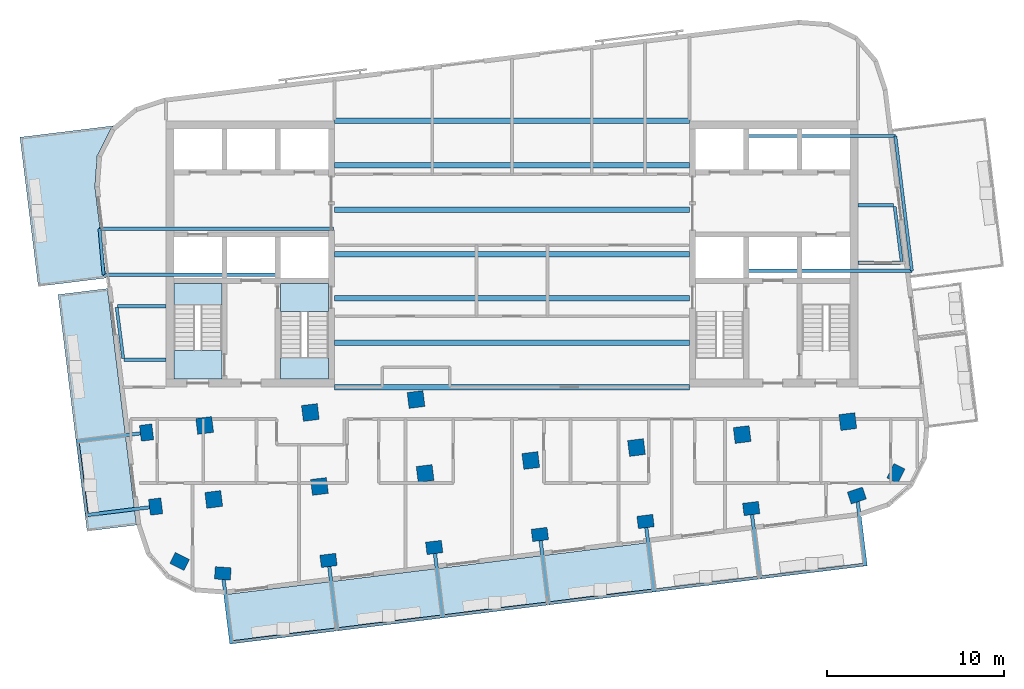
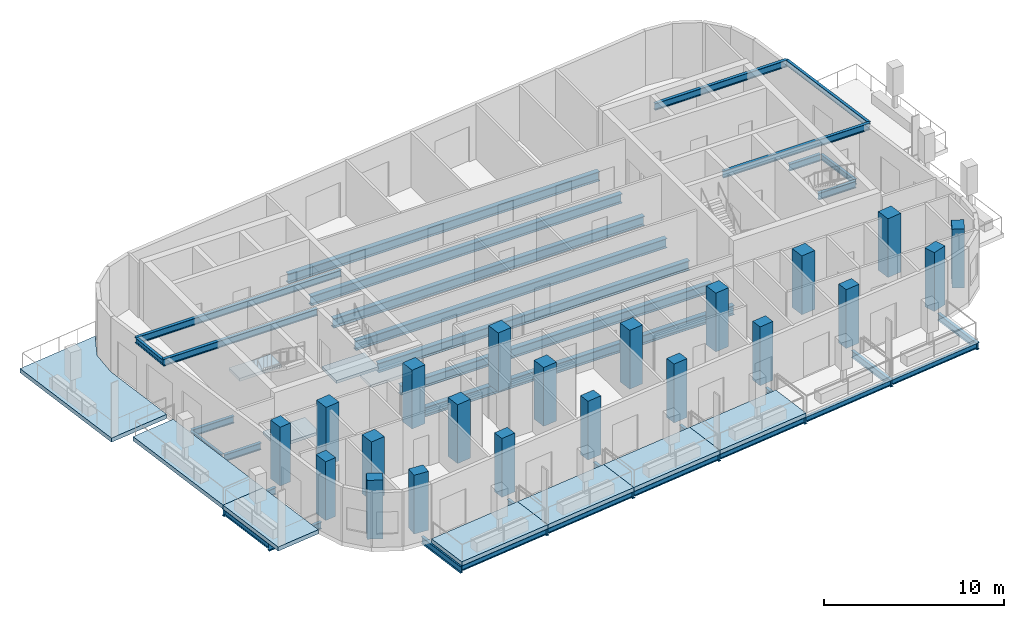
# One storey, part 1 of 11: 35 beams, 21 columns, 11 slabs, 2 elements without a shape of their own.
"""IFC4 building model written with IfcOpenShell, lengths in metres."""

from ifc_helpers import new_model, si_unit, direction, frame, origin, origin_2d, place, context, subcontext, project, spatial, polyline, rectangle, i_section, outline, extrude, material, layer, layer_set, material_profile, profile_set, type_object, element, aggregate, save


model = new_model("IFC4")

# Units and contexts
model_context = context("Model", 3, precision=1e-05, world=origin(), true_north=direction((0.0, 1.0)))
body_context = subcontext(model_context, "Body", "Model", "MODEL_VIEW")
ifc_project = project(units=[si_unit("LENGTHUNIT", "METRE"), si_unit("AREAUNIT", "SQUARE_METRE"), si_unit("VOLUMEUNIT", "CUBIC_METRE"), si_unit("PLANEANGLEUNIT", "RADIAN"), si_unit("MASSUNIT", "GRAM", prefix="KILO")], contexts=[model_context])

# Site, building, storey
site_placement = place(None, origin())
site = spatial("IfcSite", under=ifc_project, at=site_placement, CompositionType="ELEMENT")
building_placement = place(site_placement, origin())
building = spatial("IfcBuilding", under=site, at=building_placement, Name="Torana Hotel and Residences", CompositionType="ELEMENT")
storey_placement = place(building_placement, frame((0.0, 0.0, 322.60009765625)))
storey = spatial("IfcBuildingStorey", under=building, at=storey_placement, Name="L85", CompositionType="ELEMENT", Elevation=322.60009765625)

# Columns
ifc_material_1 = material(Name="Concrete C45/55", Category="concrete")
ifc_material_profile_1 = material_profile(ifc_material_1, rectangle(XDim=0.89990234375, YDim=0.699951171875, at=origin_2d()), Name="RC 900x700")
ifc_profile_set_1 = profile_set([ifc_material_profile_1], Name="Concrete C45/55")
column_type_1 = type_object("IfcColumnType", Name="COLUMN RC 900x700 C45/55", PredefinedType="COLUMN", material=ifc_profile_set_1)
for number, where, z_axis, x_axis, name in (
    (1, (-20.593017578125, -17.56201171875, 0.0), (0.0, 0.0, 1.0), (-0.121869343405, 0.992546151641, 0.0), "Column L85"),
    (2, (-20.0810546875, -21.73095703125, 0.0), (0.0, 0.0, 1.0), (-0.121869343405, 0.992546151641, 0.0), "Column L85"),
    (3, (-18.72802734375, -24.822998046875, 0.0), (0.0, 0.0, 1.0), (-0.892978943411, 0.450098441037, 0.0), "Column L85"),
    (4, (-16.2939453125, -25.4970703125, 0.0), (0.0, 0.0, 1.0), (-0.997251478385, 0.074091084885, 0.0), "Column L85"),
    (5, (-10.337890625, -24.76611328125, 0.0), (0.0, 0.0, 1.0), (0.992546151641, 0.121869343405, 0.0), "Column L85"),
    (6, (-4.383056640625, -24.034912109375, 0.0), (0.0, 0.0, 1.0), (0.992546151641, 0.121869343405, 0.0), "Column L85"),
    (7, (1.572021484375, -23.303955078125, 0.0), (0.0, 0.0, 1.0), (0.992546151641, 0.121869343405, 0.0), "Column L85"),
    (8, (7.527099609375, -22.572998046875, 0.0), (0.0, 0.0, 1.0), (0.992546151641, 0.121869343405, 0.0), "Column L85"),
    (9, (13.48291015625, -21.841064453125, 0.0), (0.0, 0.0, 1.0), (0.992546151641, 0.121869343405, 0.0), "Column L85"),
    (10, (19.43798828125, -21.110107421875, 0.0), (0.0, 0.0, 1.0), (0.949693660318, 0.313180381813, 0.0), "Column L85"),
    (11, (21.635986328125, -19.865966796875, 0.0), (0.0, 0.0, 1.0), (0.450098441037, 0.892978943411, 0.0), "Column L85"),
):
    element("IfcColumn", number, at=place(storey_placement, frame(where, z_axis=z_axis, x_axis=x_axis)), inside=storey, type_object=column_type_1, Name=name, PredefinedType="COLUMN", context=body_context, shape_type="SweptSolid", body=[
        extrude(rectangle(XDim=0.89990234375, YDim=0.699951171875, at=origin_2d()), origin(), (0.0, 0.0, 1.0), 4.0),
    ])
ifc_material_2 = material(Name="Concrete C45/55", Category="concrete")
ifc_material_profile_2 = material_profile(ifc_material_2, rectangle(XDim=0.89990234375, YDim=0.89990234375, at=origin_2d()), Name="RC 900x900")
ifc_profile_set_2 = profile_set([ifc_material_profile_2], Name="Concrete C45/55")
column_type_2 = type_object("IfcColumnType", Name="COLUMN RC 900x900 C45/55", PredefinedType="COLUMN", material=ifc_profile_set_2)
for number, where, z_axis, x_axis, name in (
    (12, (-17.31689453125, -17.159912109375, 0.0), (0.0, 0.0, 1.0), (0.992546151641, 0.121869343405, 0.0), "Column L85"),
    (13, (-16.805908203125, -21.3291015625, 0.0), (0.0, 0.0, 1.0), (0.992546151641, 0.121869343405, 0.0), "Column L85"),
    (14, (-11.362060546875, -16.428955078125, 0.0), (0.0, 0.0, 1.0), (0.992546151641, 0.121869343405, 0.0), "Column L85"),
    (15, (-10.85009765625, -20.597900390625, 0.0), (0.0, 0.0, 1.0), (0.992546151641, 0.121869343405, 0.0), "Column L85"),
    (16, (-5.406982421875, -15.697998046875, 0.0), (0.0, 0.0, 1.0), (0.992546151641, 0.121869343405, 0.0), "Column L85"),
    (17, (-4.89501953125, -19.865966796875, 0.0), (0.0, 0.0, 1.0), (0.992546151641, 0.121869343405, 0.0), "Column L85"),
    (18, (1.06005859375, -19.135009765625, 0.0), (0.0, 0.0, 1.0), (0.992546151641, 0.121869343405, 0.0), "Column L85"),
    (19, (7.01611328125, -18.404052734375, 0.0), (0.0, 0.0, 1.0), (0.992546151641, 0.121869343405, 0.0), "Column L85"),
    (20, (12.970947265625, -17.673095703125, 0.0), (0.0, 0.0, 1.0), (0.992546151641, 0.121869343405, 0.0), "Column L85"),
    (21, (18.926025390625, -16.94189453125, 0.0), (0.0, 0.0, 1.0), (0.992546151641, 0.121869343405, 0.0), "Column L85"),
):
    element("IfcColumn", number, at=place(storey_placement, frame(where, z_axis=z_axis, x_axis=x_axis)), inside=storey, type_object=column_type_2, Name=name, PredefinedType="COLUMN", context=body_context, shape_type="SweptSolid", body=[
        extrude(rectangle(XDim=0.89990234375, YDim=0.89990234375, at=origin_2d()), origin(), (0.0, 0.0, 1.0), 4.0),
    ])

# Beams
ifc_material_3 = material(Name="Steel S355", Category="steel")
ifc_material_profile_3 = material_profile(ifc_material_3, i_section(OverallWidth=0.19287109375, OverallDepth=0.46728515625, WebThickness=0.011474609375, FlangeThickness=0.01953125, FilletRadius=0.01025390625, at=origin_2d()), Name="457x191x98 UB")
ifc_profile_set_3 = profile_set([ifc_material_profile_3], Name="Steel S355")
beam_type_1 = type_object("IfcBeamType", Name="BALCONY CANTILEVER BEAM 457x191x98 UB", PredefinedType="BEAM", material=ifc_profile_set_3)
beam_1_placement = place(storey_placement, frame((-16.251708984375, -25.84130859375, -0.513671875), z_axis=(0.12194557952, -0.992536788051, 0.0), x_axis=(0.992536788051, 0.12194557952, 0.0)))
element("IfcBeam", 22, at=beam_1_placement, inside=storey, type_object=beam_type_1, Name="Balcony cantilever beam", PredefinedType="BEAM", context=body_context, shape_type="SweptSolid", body=[
    extrude(i_section(OverallWidth=0.19287109375, OverallDepth=0.46728515625, WebThickness=0.011474609375, FlangeThickness=0.01953125, FilletRadius=0.01025390625, at=origin_2d()), origin(), (0.0, 0.0, 1.0), 3.65380859375),
])
beam_2_placement = place(storey_placement, frame((-10.296630859375, -25.103515625, -0.513671875), z_axis=(0.121727603609, -0.992563544827, 0.0), x_axis=(0.992563544827, 0.121727603609, 0.0)))
element("IfcBeam", 23, at=beam_2_placement, inside=storey, type_object=beam_type_1, Name="Balcony cantilever beam", PredefinedType="BEAM", context=body_context, shape_type="SweptSolid", body=[
    extrude(i_section(OverallWidth=0.19287109375, OverallDepth=0.46728515625, WebThickness=0.011474609375, FlangeThickness=0.01953125, FilletRadius=0.01025390625, at=origin_2d()), origin(), (0.0, 0.0, 1.0), 3.66015625),
])
beam_3_placement = place(storey_placement, frame((-4.341552734375, -24.37255859375, -0.513671875), z_axis=(0.121809442808, -0.992553504675, 0.0), x_axis=(0.992553504675, 0.121809442808, 0.0)))
element("IfcBeam", 24, at=beam_3_placement, inside=storey, type_object=beam_type_1, Name="Balcony cantilever beam", PredefinedType="BEAM", context=body_context, shape_type="SweptSolid", body=[
    extrude(i_section(OverallWidth=0.19287109375, OverallDepth=0.46728515625, WebThickness=0.011474609375, FlangeThickness=0.01953125, FilletRadius=0.01025390625, at=origin_2d()), origin(), (0.0, 0.0, 1.0), 3.659912109375),
])
for number, where, z_axis, x_axis, name in (
    (25, (1.61328125, -23.6416015625, -0.513671875), (0.121948950891, -0.99253637383, 0.0), (0.99253637383, 0.121948950891, 0.0), "Balcony cantilever beam"),
    (26, (7.568359375, -22.910400390625, -0.513671875), (0.122014669663, -0.992528297021, 0.0), (0.992528297021, 0.122014669663, 0.0), "Balcony cantilever beam"),
):
    element("IfcBeam", number, at=place(storey_placement, frame(where, z_axis=z_axis, x_axis=x_axis)), inside=storey, type_object=beam_type_1, Name=name, PredefinedType="BEAM", context=body_context, shape_type="SweptSolid", body=[
        extrude(i_section(OverallWidth=0.19287109375, OverallDepth=0.46728515625, WebThickness=0.011474609375, FlangeThickness=0.01953125, FilletRadius=0.01025390625, at=origin_2d()), origin(), (0.0, 0.0, 1.0), 3.65966796875),
    ])
beam_4_placement = place(storey_placement, frame((13.5244140625, -22.178466796875, -0.513671875), z_axis=(0.12179331453, -0.992555483858, 0.0), x_axis=(0.992555483858, 0.12179331453, 0.0)))
element("IfcBeam", 27, at=beam_4_placement, inside=storey, type_object=beam_type_1, Name="Balcony cantilever beam", PredefinedType="BEAM", context=body_context, shape_type="SweptSolid", body=[
    extrude(i_section(OverallWidth=0.19287109375, OverallDepth=0.46728515625, WebThickness=0.011474609375, FlangeThickness=0.01953125, FilletRadius=0.01025390625, at=origin_2d()), origin(), (0.0, 0.0, 1.0), 3.660400390625),
])
beam_5_placement = place(storey_placement, frame((19.480224609375, -21.454345703125, -0.513671875), z_axis=(0.12183008487, -0.992550971195, 0.0), x_axis=(0.992550971195, 0.12183008487, 0.0)))
element("IfcBeam", 28, at=beam_5_placement, inside=storey, type_object=beam_type_1, Name="Balcony cantilever beam", PredefinedType="BEAM", context=body_context, shape_type="SweptSolid", body=[
    extrude(i_section(OverallWidth=0.19287109375, OverallDepth=0.46728515625, WebThickness=0.011474609375, FlangeThickness=0.01953125, FilletRadius=0.01025390625, at=origin_2d()), origin(), (0.0, 0.0, 1.0), 3.653076171875),
])
for number, where, z_axis, x_axis, name in (
    (29, (-20.930419921875, -17.603515625, -0.513671875), (-0.992537365838, -0.121940876722, 0.0), (0.121940876722, -0.992537365838, 0.0), "Balcony cantilever beam"),
    (30, (-20.41845703125, -21.7724609375, -0.513671875), (-0.992545437366, -0.121875160566, 0.0), (0.121875160566, -0.992545437366, 0.0), "Balcony cantilever beam"),
):
    element("IfcBeam", number, at=place(storey_placement, frame(where, z_axis=z_axis, x_axis=x_axis)), inside=storey, type_object=beam_type_1, Name=name, PredefinedType="BEAM", context=body_context, shape_type="SweptSolid", body=[
        extrude(i_section(OverallWidth=0.19287109375, OverallDepth=0.46728515625, WebThickness=0.011474609375, FlangeThickness=0.01953125, FilletRadius=0.01025390625, at=origin_2d()), origin(), (0.0, 0.0, 1.0), 3.659912109375),
    ])
beam_6_placement = place(storey_placement, frame((-19.489990234375, -13.449951171875, -0.513671875), z_axis=(-1.0, 0.0, 0.0), x_axis=(0.0, -1.0, 0.0)))
element("IfcBeam", 31, at=beam_6_placement, inside=storey, type_object=beam_type_1, Name="Balcony cantilever beam", PredefinedType="BEAM", context=body_context, shape_type="SweptSolid", body=[
    extrude(i_section(OverallWidth=0.19287109375, OverallDepth=0.46728515625, WebThickness=0.011474609375, FlangeThickness=0.01953125, FilletRadius=0.01025390625, at=origin_2d()), origin(), (0.0, 0.0, 1.0), 2.360107421875),
])
beam_7_placement = place(storey_placement, frame((-19.489990234375, -10.449951171875, -0.513671875), z_axis=(-1.0, 0.0, 0.0), x_axis=(0.0, -1.0, 0.0)))
element("IfcBeam", 32, at=beam_7_placement, inside=storey, type_object=beam_type_1, Name="Balcony cantilever beam", PredefinedType="BEAM", context=body_context, shape_type="SweptSolid", body=[
    extrude(i_section(OverallWidth=0.19287109375, OverallDepth=0.46728515625, WebThickness=0.011474609375, FlangeThickness=0.01953125, FilletRadius=0.01025390625, at=origin_2d()), origin(), (0.0, 0.0, 1.0), 2.728515625),
])
beam_8_placement = place(storey_placement, frame((19.489990234375, -8.0, -0.513671875), z_axis=(1.0, 0.0, 0.0), x_axis=(0.0, 1.0, 0.0)))
element("IfcBeam", 33, at=beam_8_placement, inside=storey, type_object=beam_type_1, Name="Balcony cantilever beam", PredefinedType="BEAM", context=body_context, shape_type="SweptSolid", body=[
    extrude(i_section(OverallWidth=0.19287109375, OverallDepth=0.46728515625, WebThickness=0.011474609375, FlangeThickness=0.01953125, FilletRadius=0.01025390625, at=origin_2d()), origin(), (0.0, 0.0, 1.0), 2.41552734375),
])
beam_9_placement = place(storey_placement, frame((19.489990234375, -4.75, -0.513671875), z_axis=(1.0, 0.0, 0.0), x_axis=(0.0, 1.0, 0.0)))
element("IfcBeam", 34, at=beam_9_placement, inside=storey, type_object=beam_type_1, Name="Balcony cantilever beam", PredefinedType="BEAM", context=body_context, shape_type="SweptSolid", body=[
    extrude(i_section(OverallWidth=0.19287109375, OverallDepth=0.46728515625, WebThickness=0.011474609375, FlangeThickness=0.01953125, FilletRadius=0.01025390625, at=origin_2d()), origin(), (0.0, 0.0, 1.0), 2.016357421875),
])
beam_10_placement = place(storey_placement, frame((-23.013916015625, -8.669921875, 3.486328125), z_axis=(1.0, 0.0, 0.0), x_axis=(0.0, 1.0, 0.0)))
element("IfcBeam", 35, at=beam_10_placement, inside=storey, type_object=beam_type_1, Name="Balcony cantilever beam", PredefinedType="BEAM", context=body_context, shape_type="SweptSolid", body=[
    extrude(i_section(OverallWidth=0.19287109375, OverallDepth=0.46728515625, WebThickness=0.011474609375, FlangeThickness=0.01953125, FilletRadius=0.01025390625, at=origin_2d()), origin(), (0.0, 0.0, 1.0), 9.913818359375),
])
beam_11_placement = place(storey_placement, frame((-23.2451171875, -6.070068359375, 3.486328125), z_axis=(1.0, 0.0, 0.0), x_axis=(0.0, 1.0, 0.0)))
element("IfcBeam", 36, at=beam_11_placement, inside=storey, type_object=beam_type_1, Name="Balcony cantilever beam", PredefinedType="BEAM", context=body_context, shape_type="SweptSolid", body=[
    extrude(i_section(OverallWidth=0.19287109375, OverallDepth=0.46728515625, WebThickness=0.011474609375, FlangeThickness=0.01953125, FilletRadius=0.01025390625, at=origin_2d()), origin(), (0.0, 0.0, 1.0), 13.195068359375),
])
beam_12_placement = place(storey_placement, frame((22.537353515625, -8.449951171875, 3.486328125), z_axis=(-1.0, 0.0, 0.0), x_axis=(0.0, -1.0, 0.0)))
element("IfcBeam", 37, at=beam_12_placement, inside=storey, type_object=beam_type_1, Name="Balcony cantilever beam", PredefinedType="BEAM", context=body_context, shape_type="SweptSolid", body=[
    extrude(i_section(OverallWidth=0.19287109375, OverallDepth=0.46728515625, WebThickness=0.011474609375, FlangeThickness=0.01953125, FilletRadius=0.01025390625, at=origin_2d()), origin(), (0.0, 0.0, 1.0), 9.437255859375),
])
beam_13_placement = place(storey_placement, frame((21.60400390625, -0.85009765625, 3.486328125), z_axis=(-1.0, 0.0, 0.0), x_axis=(0.0, -1.0, 0.0)))
element("IfcBeam", 38, at=beam_13_placement, inside=storey, type_object=beam_type_1, Name="Balcony cantilever beam", PredefinedType="BEAM", context=body_context, shape_type="SweptSolid", body=[
    extrude(i_section(OverallWidth=0.19287109375, OverallDepth=0.46728515625, WebThickness=0.011474609375, FlangeThickness=0.01953125, FilletRadius=0.01025390625, at=origin_2d()), origin(), (0.0, 0.0, 1.0), 8.50390625),
])
ifc_material_4 = material(Name="Steel S355", Category="steel")
ifc_material_profile_4 = material_profile(ifc_material_4, i_section(OverallWidth=0.173095703125, OverallDepth=0.36328125, WebThickness=0.009033203125, FlangeThickness=0.015625, FilletRadius=0.01025390625, at=origin_2d()), Name="356x171x67 UB")
ifc_profile_set_4 = profile_set([ifc_material_profile_4], Name="Steel S355")
beam_type_2 = type_object("IfcBeamType", Name="BALCONY TIP BEAM 356x171x67 UB", PredefinedType="BEAM", material=ifc_profile_set_4)
for number, where, z_axis, x_axis, name in (
    (39, (-9.927490234375, -28.65869140625, -0.4619140625), (-0.992545044936, -0.121878356459, 0.0), (0.121878356459, -0.992545044936, 0.0), "Balcony tip beam"),
    (40, (-3.97216796875, -27.92724609375, -0.4619140625), (-0.992540010453, -0.121919348955, 0.0), (0.121919348955, -0.992540010453, 0.0), "Balcony tip beam"),
    (41, (1.983154296875, -27.196044921875, -0.4619140625), (-0.992545044936, -0.121878356459, 0.0), (0.121878356459, -0.992545044936, 0.0), "Balcony tip beam"),
    (42, (7.9384765625, -26.46484375, -0.4619140625), (-0.992545044936, -0.121878356459, 0.0), (0.121878356459, -0.992545044936, 0.0), "Balcony tip beam"),
):
    element("IfcBeam", number, at=place(storey_placement, frame(where, z_axis=z_axis, x_axis=x_axis)), inside=storey, type_object=beam_type_2, Name=name, PredefinedType="BEAM", context=body_context, shape_type="SweptSolid", body=[
        extrude(i_section(OverallWidth=0.173095703125, OverallDepth=0.36328125, WebThickness=0.009033203125, FlangeThickness=0.015625, FilletRadius=0.01025390625, at=origin_2d()), origin(), (0.0, 0.0, 1.0), 5.8671875),
    ])
beam_14_placement = place(storey_placement, frame((13.8935546875, -25.733642578125, -0.4619140625), z_axis=(-0.992544426795, -0.121883390327, 0.0), x_axis=(0.121883390327, -0.992544426795, 0.0)))
element("IfcBeam", 43, at=beam_14_placement, inside=storey, type_object=beam_type_2, Name="Balcony tip beam", PredefinedType="BEAM", context=body_context, shape_type="SweptSolid", body=[
    extrude(i_section(OverallWidth=0.173095703125, OverallDepth=0.36328125, WebThickness=0.009033203125, FlangeThickness=0.015625, FilletRadius=0.01025390625, at=origin_2d()), origin(), (0.0, 0.0, 1.0), 5.866943359375),
])
beam_15_placement = place(storey_placement, frame((19.848876953125, -25.00244140625, -0.4619140625), z_axis=(-0.992545044936, -0.121878356459, 0.0), x_axis=(0.121878356459, -0.992545044936, 0.0)))
element("IfcBeam", 44, at=beam_15_placement, inside=storey, type_object=beam_type_2, Name="Balcony tip beam", PredefinedType="BEAM", context=body_context, shape_type="SweptSolid", body=[
    extrude(i_section(OverallWidth=0.173095703125, OverallDepth=0.36328125, WebThickness=0.009033203125, FlangeThickness=0.015625, FilletRadius=0.01025390625, at=origin_2d()), origin(), (0.0, 0.0, 1.0), 5.8671875),
])
beam_16_placement = place(storey_placement, frame((-23.97314453125, -22.14208984375, -0.4619140625), z_axis=(-0.121906862374, 0.992541544171, 0.0), x_axis=(-0.992541544171, -0.121906862374, 0.0)))
element("IfcBeam", 45, at=beam_16_placement, inside=storey, type_object=beam_type_2, Name="Balcony tip beam", PredefinedType="BEAM", context=body_context, shape_type="SweptSolid", body=[
    extrude(i_section(OverallWidth=0.173095703125, OverallDepth=0.36328125, WebThickness=0.009033203125, FlangeThickness=0.015625, FilletRadius=0.01025390625, at=origin_2d()), origin(), (0.0, 0.0, 1.0), 4.0673828125),
])
beam_17_placement = place(storey_placement, frame((-21.90673828125, -13.383544921875, -0.4619140625), z_axis=(-0.127443407553, 0.991845843804, 0.0), x_axis=(-0.991845843804, -0.127443407553, 0.0)))
element("IfcBeam", 46, at=beam_17_placement, inside=storey, type_object=beam_type_2, Name="Balcony tip beam", PredefinedType="BEAM", context=body_context, shape_type="SweptSolid", body=[
    extrude(i_section(OverallWidth=0.173095703125, OverallDepth=0.36328125, WebThickness=0.009033203125, FlangeThickness=0.015625, FilletRadius=0.01025390625, at=origin_2d()), origin(), (0.0, 0.0, 1.0), 2.890869140625),
])
beam_18_placement = place(storey_placement, frame((21.9619140625, -7.93359375, -0.4619140625), z_axis=(-0.126940899221, 0.991910282286, 0.0), x_axis=(-0.991910282286, -0.126940899221, 0.0)))
element("IfcBeam", 47, at=beam_18_placement, inside=storey, type_object=beam_type_2, Name="Balcony tip beam", PredefinedType="BEAM", context=body_context, shape_type="SweptSolid", body=[
    extrude(i_section(OverallWidth=0.173095703125, OverallDepth=0.36328125, WebThickness=0.009033203125, FlangeThickness=0.015625, FilletRadius=0.01025390625, at=origin_2d()), origin(), (0.0, 0.0, 1.0), 3.142578125),
])
beam_19_placement = place(storey_placement, frame((-23.013916015625, -8.669921875, 3.5380859375), z_axis=(-0.088578973765, 0.99606915694, 0.0), x_axis=(-0.99606915694, -0.088578973765, 0.0)))
element("IfcBeam", 48, at=beam_19_placement, inside=storey, type_object=beam_type_2, Name="Balcony tip beam", PredefinedType="BEAM", context=body_context, shape_type="SweptSolid", body=[
    extrude(i_section(OverallWidth=0.173095703125, OverallDepth=0.36328125, WebThickness=0.009033203125, FlangeThickness=0.015625, FilletRadius=0.01025390625, at=origin_2d()), origin(), (0.0, 0.0, 1.0), 2.610107421875),
])
beam_20_placement = place(storey_placement, frame((22.537353515625, -8.449951171875, 3.5380859375), z_axis=(-0.1218957101, 0.992542913863, 0.0), x_axis=(-0.992542913863, -0.1218957101, 0.0)))
element("IfcBeam", 49, at=beam_20_placement, inside=storey, type_object=beam_type_2, Name="Balcony tip beam", PredefinedType="BEAM", context=body_context, shape_type="SweptSolid", body=[
    extrude(i_section(OverallWidth=0.173095703125, OverallDepth=0.36328125, WebThickness=0.009033203125, FlangeThickness=0.015625, FilletRadius=0.01025390625, at=origin_2d()), origin(), (0.0, 0.0, 1.0), 7.656982421875),
])
ifc_material_5 = material(Name="Steel S355", Category="steel")
ifc_material_profile_5 = material_profile(ifc_material_5, i_section(OverallWidth=0.311279296875, OverallDepth=0.6357421875, WebThickness=0.018310546875, FlangeThickness=0.031494140625, FilletRadius=0.0166015625, at=origin_2d()), Name="610x305x238 UB")
ifc_profile_set_5 = profile_set([ifc_material_profile_5], Name="Steel S355")
beam_type_3 = type_object("IfcBeamType", Name="STEEL GIRDER 610x305x238 UB", PredefinedType="BEAM", material=ifc_profile_set_5)
for number, where, z_axis, x_axis, name in (
    (50, (-10.0, -15.0, -0.597900390625), (1.0, 0.0, 0.0), (0.0, 1.0, 0.0), "Floor girder"),
    (51, (-10.0, -12.5, -0.597900390625), (1.0, 0.0, 0.0), (0.0, 1.0, 0.0), "Floor girder"),
    (52, (-10.0, -10.0, -0.597900390625), (1.0, 0.0, 0.0), (0.0, 1.0, 0.0), "Floor girder"),
    (53, (-10.0, -7.5, -0.597900390625), (1.0, 0.0, 0.0), (0.0, 1.0, 0.0), "Floor girder"),
    (54, (-10.0, -5.0, -0.597900390625), (1.0, 0.0, 0.0), (0.0, 1.0, 0.0), "Floor girder"),
    (55, (-10.0, -2.5, -0.597900390625), (1.0, 0.0, 0.0), (0.0, 1.0, 0.0), "Floor girder"),
    (56, (-10.0, 0.0, -0.597900390625), (1.0, 0.0, 0.0), (0.0, 1.0, 0.0), "Floor girder"),
):
    element("IfcBeam", number, at=place(storey_placement, frame(where, z_axis=z_axis, x_axis=x_axis)), inside=storey, type_object=beam_type_3, Name=name, PredefinedType="BEAM", context=body_context, shape_type="SweptSolid", body=[
        extrude(i_section(OverallWidth=0.311279296875, OverallDepth=0.6357421875, WebThickness=0.018310546875, FlangeThickness=0.031494140625, FilletRadius=0.0166015625, at=origin_2d()), origin(), (0.0, 0.0, 1.0), 20.0),
    ])

# Slabs
ifc_material_6 = material(Name="Concrete C40/50", Category="concrete")
ifc_layer_1 = layer(ifc_material_6, 0.280029296875)
ifc_layer_set_1 = layer_set([ifc_layer_1], Name="BAL1 BALCONY SLAB 280")
slab_type_1 = type_object("IfcSlabType", Name="BAL1 BALCONY SLAB 280", PredefinedType="USERDEFINED", material=ifc_layer_set_1)
slab_1_placement = place(storey_placement, frame((0.0, 0.0, -0.280029296875)))
element("IfcSlab", 57, at=slab_1_placement, inside=storey, type_object=slab_type_1, Name="Balcony 01", ObjectType="BALCONY", PredefinedType="USERDEFINED", context=body_context, shape_type="SweptSolid", body=[
    extrude(outline(polyline([(-15.80615234375, -29.4677734375), (-9.85107421875, -28.736572265625), (-10.192138671875, -25.957275390625), (-16.1474609375, -26.6884765625), (-15.80615234375, -29.4677734375)])), origin(), (0.0, 0.0, 1.0), 0.280029296875),
])
slab_2_placement = place(storey_placement, frame((0.0, 0.0, -0.280029296875)))
element("IfcSlab", 58, at=slab_2_placement, inside=storey, type_object=slab_type_1, Name="Balcony 02", ObjectType="BALCONY", PredefinedType="USERDEFINED", context=body_context, shape_type="SweptSolid", body=[
    extrude(outline(polyline([(-9.85107421875, -28.736572265625), (-3.895751953125, -28.005126953125), (-4.23681640625, -25.22607421875), (-10.192138671875, -25.957275390625), (-9.85107421875, -28.736572265625)])), origin(), (0.0, 0.0, 1.0), 0.280029296875),
])
slab_3_placement = place(storey_placement, frame((0.0, 0.0, -0.280029296875)))
element("IfcSlab", 59, at=slab_3_placement, inside=storey, type_object=slab_type_1, Name="Balcony 03", ObjectType="BALCONY", PredefinedType="USERDEFINED", context=body_context, shape_type="SweptSolid", body=[
    extrude(outline(polyline([(-3.895751953125, -28.005126953125), (2.0595703125, -27.27392578125), (1.718505859375, -24.494873046875), (-4.23681640625, -25.22607421875), (-3.895751953125, -28.005126953125)])), origin(), (0.0, 0.0, 1.0), 0.280029296875),
])
slab_4_placement = place(storey_placement, frame((0.0, 0.0, -0.280029296875)))
element("IfcSlab", 60, at=slab_4_placement, inside=storey, type_object=slab_type_1, Name="Balcony 04", ObjectType="BALCONY", PredefinedType="USERDEFINED", context=body_context, shape_type="SweptSolid", body=[
    extrude(outline(polyline([(2.0595703125, -27.27392578125), (8.014892578125, -26.542724609375), (7.673583984375, -23.763671875), (1.718505859375, -24.494873046875), (2.0595703125, -27.27392578125)])), origin(), (0.0, 0.0, 1.0), 0.280029296875),
])
slab_5_placement = place(storey_placement, frame((0.0, 0.0, -0.280029296875)))
element("IfcSlab", 61, at=slab_5_placement, inside=storey, type_object=slab_type_1, Name="Balcony 07", ObjectType="BALCONY", PredefinedType="USERDEFINED", context=body_context, shape_type="SweptSolid", body=[
    extrude(outline(polyline([(-23.94140625, -23.11181640625), (-21.162353515625, -22.7705078125), (-21.783935546875, -17.70849609375), (-24.56298828125, -18.0498046875), (-23.94140625, -23.11181640625)])), origin(), (0.0, 0.0, 1.0), 0.280029296875),
])
slab_6_placement = place(storey_placement, frame((0.0, 0.0, -0.280029296875)))
element("IfcSlab", 62, at=slab_6_placement, inside=storey, type_object=slab_type_1, Name="Balcony 08", ObjectType="BALCONY", PredefinedType="USERDEFINED", context=body_context, shape_type="SweptSolid", body=[
    extrude(outline(polyline([(-24.56298828125, -18.0498046875), (-21.783935546875, -17.70849609375), (-22.79833984375, -9.445556640625), (-25.57763671875, -9.786865234375), (-24.56298828125, -18.0498046875)])), origin(), (0.0, 0.0, 1.0), 0.280029296875),
])
slab_7_placement = place(storey_placement, frame((0.0, 0.0, -0.280029296875)))
element("IfcSlab", 63, at=slab_7_placement, inside=storey, type_object=slab_type_1, Name="Balcony 09", ObjectType="BALCONY", PredefinedType="USERDEFINED", context=body_context, shape_type="SweptSolid", body=[
    extrude(outline(polyline([(-26.69287109375, -9.319091796875), (-22.87158203125, -8.85009765625), (-23.502197265625, -3.713623046875), (-23.3720703125, -1.962646484375), (-22.581787109375, -0.394775390625), (-22.43701171875, -0.27001953125), (-27.724365234375, -0.919189453125), (-26.69287109375, -9.319091796875)])), origin(), (0.0, 0.0, 1.0), 0.280029296875),
])

# Stair, slabs
ifc_material_7 = material(Name="Concrete C40/50 precast", Category="concrete")
stair_type_1 = type_object("IfcStairType", Name="STAIR ST1 HALF TURN 1200", PredefinedType="HALF_TURN_STAIR", material=ifc_material_7)
stair_1_placement = place(storey_placement, origin())
stair_1 = element("IfcStair", 64, at=stair_1_placement, inside=storey, type_object=stair_type_1, Name="Stair ST1 L85", PredefinedType="HALF_TURN_STAIR")
ifc_material_8 = material(Name="Concrete C40/50 precast", Category="concrete")
ifc_layer_2 = layer(ifc_material_8, 0.199951171875)
ifc_layer_set_2 = layer_set([ifc_layer_2], Name="STAIR LANDING 200")
slab_type_2 = type_object("IfcSlabType", Name="STAIR LANDING 200", PredefinedType="LANDING", material=ifc_layer_set_2)
slab_8_placement = place(storey_placement, frame((0.0, 0.0, 1.7998046875)))
slab_8 = element("IfcSlab", 65, at=slab_8_placement, type_object=slab_type_2, Name="ST1 landing 1", PredefinedType="LANDING", context=body_context, shape_type="SweptSolid", body=[
    extrude(outline(polyline([(-13.050048828125, -14.550048828125), (-10.35009765625, -14.550048828125), (-10.35009765625, -13.35009765625), (-13.050048828125, -13.35009765625), (-13.050048828125, -14.550048828125)])), origin(), (0.0, 0.0, 1.0), 0.2001953125),
])
slab_9_placement = place(storey_placement, frame((0.0, 0.0, -0.2001953125)))
slab_9 = element("IfcSlab", 66, at=slab_9_placement, type_object=slab_type_2, Name="ST1 landing 2", PredefinedType="LANDING", context=body_context, shape_type="SweptSolid", body=[
    extrude(outline(polyline([(-13.050048828125, -10.75), (-10.35009765625, -10.75), (-10.35009765625, -9.14990234375), (-13.050048828125, -9.14990234375), (-13.050048828125, -10.75)])), origin(), (0.0, 0.0, 1.0), 0.2001953125),
])
aggregate(stair_1, [slab_8, slab_9])

ifc_material_9 = material(Name="Concrete C40/50 precast", Category="concrete")
stair_type_2 = type_object("IfcStairType", Name="STAIR ST2 HALF TURN 1200", PredefinedType="HALF_TURN_STAIR", material=ifc_material_9)
stair_2_placement = place(storey_placement, origin())
stair_2 = element("IfcStair", 67, at=stair_2_placement, inside=storey, type_object=stair_type_2, Name="Stair ST2 L85", PredefinedType="HALF_TURN_STAIR")
slab_10_placement = place(storey_placement, frame((0.0, 0.0, 1.7998046875)))
slab_10 = element("IfcSlab", 68, at=slab_10_placement, type_object=slab_type_2, Name="ST2 landing 1", PredefinedType="LANDING", context=body_context, shape_type="SweptSolid", body=[
    extrude(outline(polyline([(-19.050048828125, -10.35009765625), (-16.35009765625, -10.35009765625), (-16.35009765625, -9.14990234375), (-19.050048828125, -9.14990234375), (-19.050048828125, -10.35009765625)])), origin(), (0.0, 0.0, 1.0), 0.2001953125),
])
slab_11_placement = place(storey_placement, frame((0.0, 0.0, -0.2001953125)))
slab_11 = element("IfcSlab", 69, at=slab_11_placement, type_object=slab_type_2, Name="ST2 landing 2", PredefinedType="LANDING", context=body_context, shape_type="SweptSolid", body=[
    extrude(outline(polyline([(-19.050048828125, -14.550048828125), (-16.35009765625, -14.550048828125), (-16.35009765625, -12.949951171875), (-19.050048828125, -12.949951171875), (-19.050048828125, -14.550048828125)])), origin(), (0.0, 0.0, 1.0), 0.2001953125),
])
aggregate(stair_2, [slab_10, slab_11])

save(model, "model.ifc")
